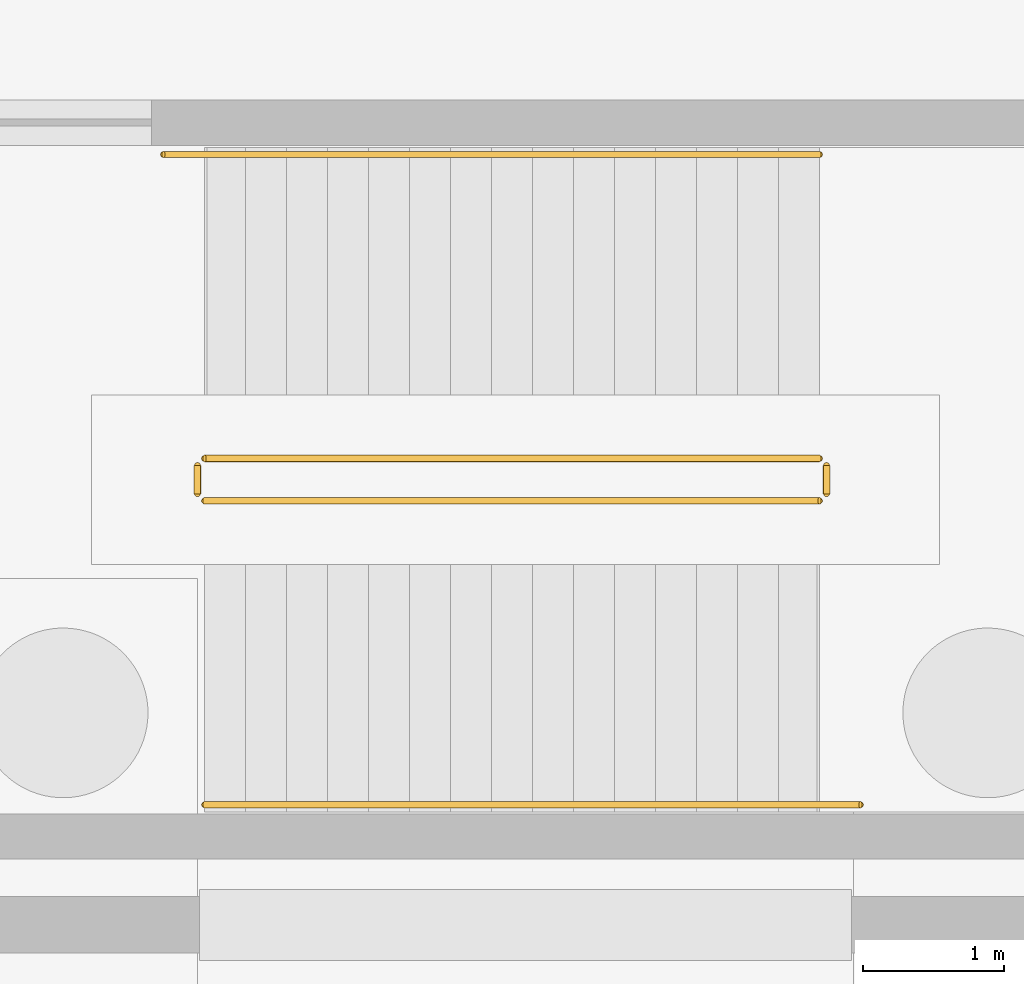
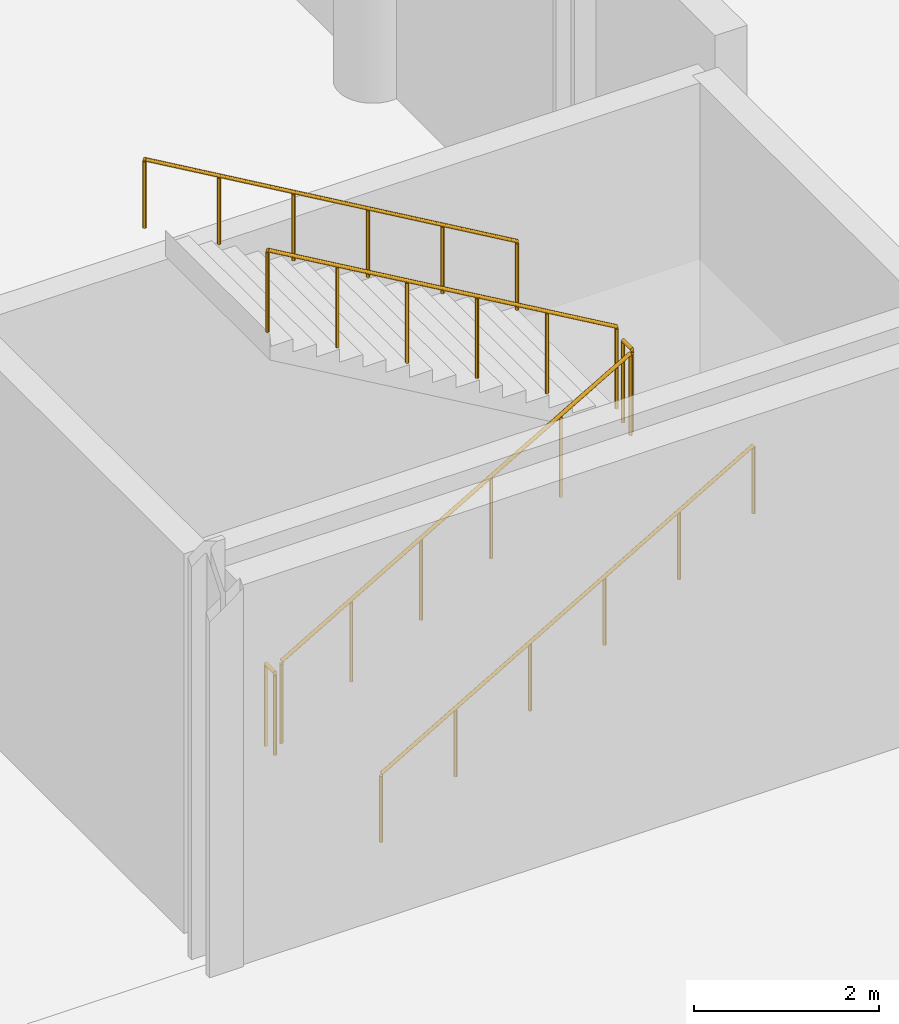
# One storey, part 56 of 60: 6 railings.
"""IFC4 building model written with IfcOpenShell, lengths in metres."""

from ifc_helpers import new_model, si_unit, direction, frame, origin, origin_2d, place, context, subcontext, project, spatial, circle, extrude, material, type_object, element, save


model = new_model("IFC4")

# Units and contexts
model_context = context("Model", 3, precision=1e-05, world=origin(), true_north=direction((0.0, 1.0)))
body_context = subcontext(model_context, "Body", "Model", "MODEL_VIEW")
ifc_project = project(units=[si_unit("LENGTHUNIT", "METRE"), si_unit("AREAUNIT", "SQUARE_METRE"), si_unit("VOLUMEUNIT", "CUBIC_METRE"), si_unit("PLANEANGLEUNIT", "RADIAN"), si_unit("MASSUNIT", "GRAM", prefix="KILO")], contexts=[model_context])

# Site, building, storey
site_placement = place(None, origin())
site = spatial("IfcSite", under=ifc_project, at=site_placement, CompositionType="ELEMENT")
building_placement = place(site_placement, origin())
building = spatial("IfcBuilding", under=site, at=building_placement, Name="Trimount Lyric Opera House", CompositionType="ELEMENT")
storey_placement = place(building_placement, frame((0.0, 0.0, -5.39990234375)))
storey = spatial("IfcBuildingStorey", under=building, at=storey_placement, Name="B1", CompositionType="ELEMENT", Elevation=-5.39990234375)

# Railings
ifc_material_1 = material(Name="Brushed Stainless Steel 316", Category="steel")
railing_type_1 = type_object("IfcRailingType", Name="RL-GRD110", PredefinedType="GUARDRAIL", material=ifc_material_1)
railing_1_placement = place(storey_placement, frame((106.550048828125, 87.0, 0.168701171875)))
element("IfcRailing", 1, at=railing_1_placement, inside=storey, type_object=railing_type_1, Name="B1 ST-04 stair guard 1", PredefinedType="GUARDRAIL", context=body_context, shape_type="SweptSolid", body=[
    extrude(circle(Radius=0.02392578125, at=origin_2d()), frame((0.0, 0.0, 1.076171875), z_axis=(0.864311530196, 0.0, 0.502956835891), x_axis=(0.0, 1.0, 0.0)), (0.0, 0.0, 1.0), 5.03271484375),
    extrude(circle(Radius=0.02099609375, at=origin_2d()), origin(), (0.0, 0.0, 1.0), 1.052001953125),
    extrude(circle(Radius=0.02099609375, at=origin_2d()), frame((0.869873046875, 0.0, 0.50634765625)), (0.0, 0.0, 1.0), 1.052001953125),
    extrude(circle(Radius=0.02099609375, at=origin_2d()), frame((1.739990234375, 0.0, 1.012451171875)), (0.0, 0.0, 1.0), 1.052001953125),
    extrude(circle(Radius=0.02099609375, at=origin_2d()), frame((2.60986328125, 0.0, 1.518798828125)), (0.0, 0.0, 1.0), 1.052001953125),
    extrude(circle(Radius=0.02099609375, at=origin_2d()), frame((3.47998046875, 0.0, 2.02490234375)), (0.0, 0.0, 1.0), 1.052001953125),
    extrude(circle(Radius=0.02099609375, at=origin_2d()), frame((4.349853515625, 0.0, 2.53125)), (0.0, 0.0, 1.0), 1.052001953125),
])
railing_2_placement = place(storey_placement, frame((110.949951171875, 87.050048828125, 2.699951171875)))
element("IfcRailing", 2, at=railing_2_placement, inside=storey, type_object=railing_type_1, Name="B1 ST-04 stair guard 2", PredefinedType="GUARDRAIL", context=body_context, shape_type="SweptSolid", body=[
    extrude(circle(Radius=0.02392578125, at=origin_2d()), frame((0.0, 0.0, 1.076171875), z_axis=(0.0, 1.0, 0.0), x_axis=(-1.0, 0.0, 0.0)), (0.0, 0.0, 1.0), 0.199951171875),
    extrude(circle(Radius=0.02099609375, at=origin_2d()), origin(), (0.0, 0.0, 1.0), 1.052001953125),
    extrude(circle(Radius=0.02099609375, at=origin_2d()), frame((0.0, 0.199951171875, 0.0)), (0.0, 0.0, 1.0), 1.052001953125),
])
railing_3_placement = place(storey_placement, frame((110.89990234375, 87.300048828125, 2.86865234375)))
element("IfcRailing", 3, at=railing_3_placement, inside=storey, type_object=railing_type_1, Name="B1 ST-04 stair guard 3", PredefinedType="GUARDRAIL", context=body_context, shape_type="SweptSolid", body=[
    extrude(circle(Radius=0.02392578125, at=origin_2d()), frame((0.0, 0.0, 1.076171875), z_axis=(-0.864311530196, 0.0, 0.502956835891), x_axis=(0.0, -1.0, 0.0)), (0.0, 0.0, 1.0), 5.03271484375),
    extrude(circle(Radius=0.02099609375, at=origin_2d()), origin(), (0.0, 0.0, 1.0), 1.052001953125),
    extrude(circle(Radius=0.02099609375, at=origin_2d()), frame((-0.869873046875, 0.0, 0.50634765625)), (0.0, 0.0, 1.0), 1.052001953125),
    extrude(circle(Radius=0.02099609375, at=origin_2d()), frame((-1.739990234375, 0.0, 1.012451171875)), (0.0, 0.0, 1.0), 1.052001953125),
    extrude(circle(Radius=0.02099609375, at=origin_2d()), frame((-2.60986328125, 0.0, 1.518798828125)), (0.0, 0.0, 1.0), 1.052001953125),
    extrude(circle(Radius=0.02099609375, at=origin_2d()), frame((-3.47998046875, 0.0, 2.02490234375)), (0.0, 0.0, 1.0), 1.052001953125),
    extrude(circle(Radius=0.02099609375, at=origin_2d()), frame((-4.349853515625, 0.0, 2.53125)), (0.0, 0.0, 1.0), 1.052001953125),
])
railing_4_placement = place(storey_placement, frame((106.5, 87.050048828125, 0.0)))
element("IfcRailing", 4, at=railing_4_placement, inside=storey, type_object=railing_type_1, Name="B1 ST-04 stair guard 4", PredefinedType="GUARDRAIL", context=body_context, shape_type="SweptSolid", body=[
    extrude(circle(Radius=0.02392578125, at=origin_2d()), frame((0.0, 0.0, 1.076171875), z_axis=(0.0, 1.0, 0.0), x_axis=(-1.0, 0.0, 0.0)), (0.0, 0.0, 1.0), 0.199951171875),
    extrude(circle(Radius=0.02099609375, at=origin_2d()), origin(), (0.0, 0.0, 1.0), 1.052001953125),
    extrude(circle(Radius=0.02099609375, at=origin_2d()), frame((0.0, 0.199951171875, 0.0)), (0.0, 0.0, 1.0), 1.052001953125),
])
ifc_material_2 = material(Name="Brushed Stainless Steel 316", Category="steel")
railing_type_2 = type_object("IfcRailingType", Name="RL-HND092", PredefinedType="HANDRAIL", material=ifc_material_2)
railing_5_placement = place(storey_placement, frame((106.550048828125, 84.85009765625, 0.168701171875)))
element("IfcRailing", 5, at=railing_5_placement, inside=storey, type_object=railing_type_2, Name="B1 ST-04 stair handrail 1", PredefinedType="HANDRAIL", context=body_context, shape_type="SweptSolid", body=[
    extrude(circle(Radius=0.0224609375, at=origin_2d()), frame((0.0, 0.0, 0.8974609375), z_axis=(0.864060742353, 0.0, 0.503387557976), x_axis=(0.0, 1.0, 0.0)), (0.0, 0.0, 1.0), 5.369873046875),
    extrude(circle(Radius=0.02099609375, at=origin_2d()), origin(), (0.0, 0.0, 1.0), 0.875),
    extrude(circle(Radius=0.02099609375, at=origin_2d()), frame((0.927978515625, 0.0, 0.54052734375)), (0.0, 0.0, 1.0), 0.875),
    extrude(circle(Radius=0.02099609375, at=origin_2d()), frame((1.85595703125, 0.0, 1.081298828125)), (0.0, 0.0, 1.0), 0.875),
    extrude(circle(Radius=0.02099609375, at=origin_2d()), frame((2.783935546875, 0.0, 1.621826171875)), (0.0, 0.0, 1.0), 0.875),
    extrude(circle(Radius=0.02099609375, at=origin_2d()), frame((3.7119140625, 0.0, 2.16259765625)), (0.0, 0.0, 1.0), 0.875),
    extrude(circle(Radius=0.02099609375, at=origin_2d()), frame((4.639892578125, 0.0, 2.703125)), (0.0, 0.0, 1.0), 0.875),
])
railing_6_placement = place(storey_placement, frame((110.89990234375, 89.449951171875, 2.86865234375)))
element("IfcRailing", 6, at=railing_6_placement, inside=storey, type_object=railing_type_2, Name="B1 ST-04 stair handrail 2", PredefinedType="HANDRAIL", context=body_context, shape_type="SweptSolid", body=[
    extrude(circle(Radius=0.0224609375, at=origin_2d()), frame((0.0, 0.0, 0.8974609375), z_axis=(-0.864060742353, 0.0, 0.503387557976), x_axis=(0.0, -1.0, 0.0)), (0.0, 0.0, 1.0), 5.369873046875),
    extrude(circle(Radius=0.02099609375, at=origin_2d()), origin(), (0.0, 0.0, 1.0), 0.875),
    extrude(circle(Radius=0.02099609375, at=origin_2d()), frame((-0.927978515625, 0.0, 0.54052734375)), (0.0, 0.0, 1.0), 0.875),
    extrude(circle(Radius=0.02099609375, at=origin_2d()), frame((-1.85595703125, 0.0, 1.081298828125)), (0.0, 0.0, 1.0), 0.875),
    extrude(circle(Radius=0.02099609375, at=origin_2d()), frame((-2.783935546875, 0.0, 1.621826171875)), (0.0, 0.0, 1.0), 0.875),
    extrude(circle(Radius=0.02099609375, at=origin_2d()), frame((-3.7119140625, 0.0, 2.16259765625)), (0.0, 0.0, 1.0), 0.875),
    extrude(circle(Radius=0.02099609375, at=origin_2d()), frame((-4.639892578125, 0.0, 2.703125)), (0.0, 0.0, 1.0), 0.875),
])

save(model, "model.ifc")
